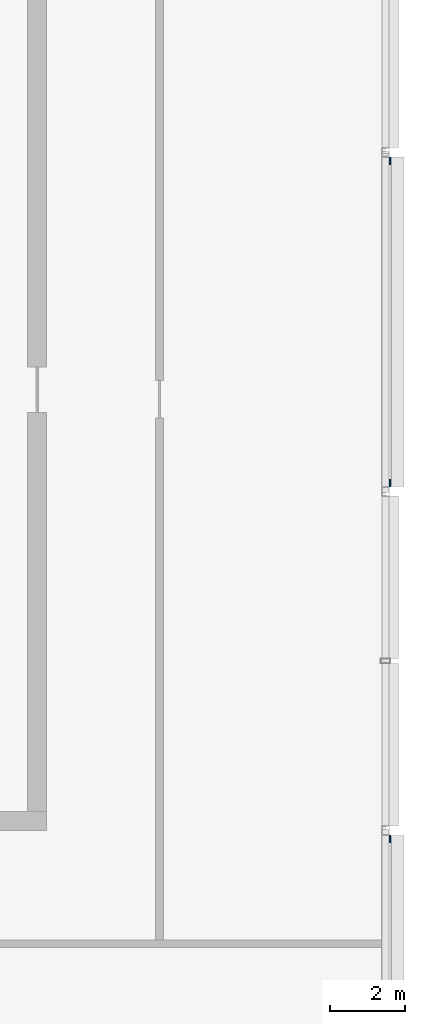
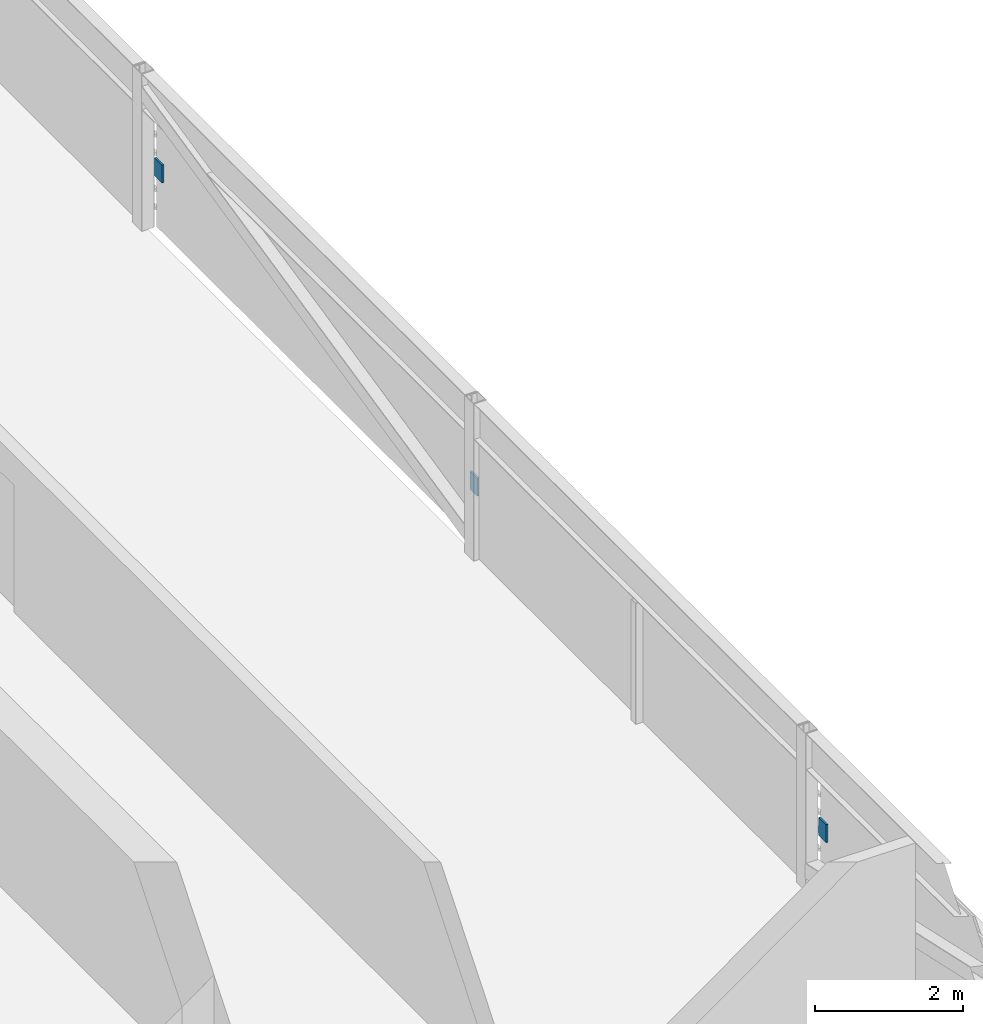
# One storey, part 21 of 27: 3 discrete accessories.
"""IFC4 building model written with IfcOpenShell, lengths in metres."""

from ifc_helpers import new_model, si_unit, direction, frame, origin, origin_2d, place, context, subcontext, project, spatial, rectangle, extrude, material, type_object, element, save


model = new_model("IFC4")

# Units and contexts
model_context = context("Model", 3, precision=1e-05, world=origin(), true_north=direction((0.0, 1.0)))
body_context = subcontext(model_context, "Body", "Model", "MODEL_VIEW")
ifc_project = project(units=[si_unit("LENGTHUNIT", "METRE"), si_unit("AREAUNIT", "SQUARE_METRE"), si_unit("VOLUMEUNIT", "CUBIC_METRE"), si_unit("PLANEANGLEUNIT", "RADIAN"), si_unit("MASSUNIT", "GRAM", prefix="KILO")], contexts=[model_context])

# Site, building, storey
site_placement = place(None, origin())
site = spatial("IfcSite", under=ifc_project, at=site_placement, CompositionType="ELEMENT")
building_placement = place(site_placement, origin())
building = spatial("IfcBuilding", under=site, at=building_placement, Name="Madar Terraces", CompositionType="ELEMENT")
storey_placement = place(building_placement, frame((0.0, 0.0, 314.300048828125)))
storey = spatial("IfcBuildingStorey", under=building, at=storey_placement, Name="L81", CompositionType="ELEMENT", Elevation=314.300048828125)

# Discrete accessories
ifc_material = material(Name="Steel, galvanised", Category="steel")
discrete_accessory_type = type_object("IfcDiscreteAccessoryType", Name="Louvre bank bracket", PredefinedType="BRACKET", material=ifc_material)
for number, where, z_axis, x_axis, name in (
    (1, (56.5166015625, 14.77294921875, 0.84912109375), (0.0, 0.0, 1.0), (0.0, 1.0, 0.0), "Louvre bank bracket"),
    (2, (56.5166015625, 24.22705078125, 0.84912109375), (0.0, 0.0, 1.0), (0.0, 1.0, 0.0), "Louvre bank bracket"),
    (3, (56.5166015625, 32.77294921875, 0.84912109375), (0.0, 0.0, 1.0), (0.0, 1.0, 0.0), "Louvre bank bracket"),
):
    element("IfcDiscreteAccessory", number, at=place(storey_placement, frame(where, z_axis=z_axis, x_axis=x_axis)), inside=storey, type_object=discrete_accessory_type, Name=name, PredefinedType="BRACKET", context=body_context, shape_type="SweptSolid", body=[
        extrude(rectangle(XDim=0.199951171875, YDim=0.030029296875, at=origin_2d()), origin(), (0.0, 0.0, 1.0), 0.300048828125),
    ])

save(model, "model.ifc")
